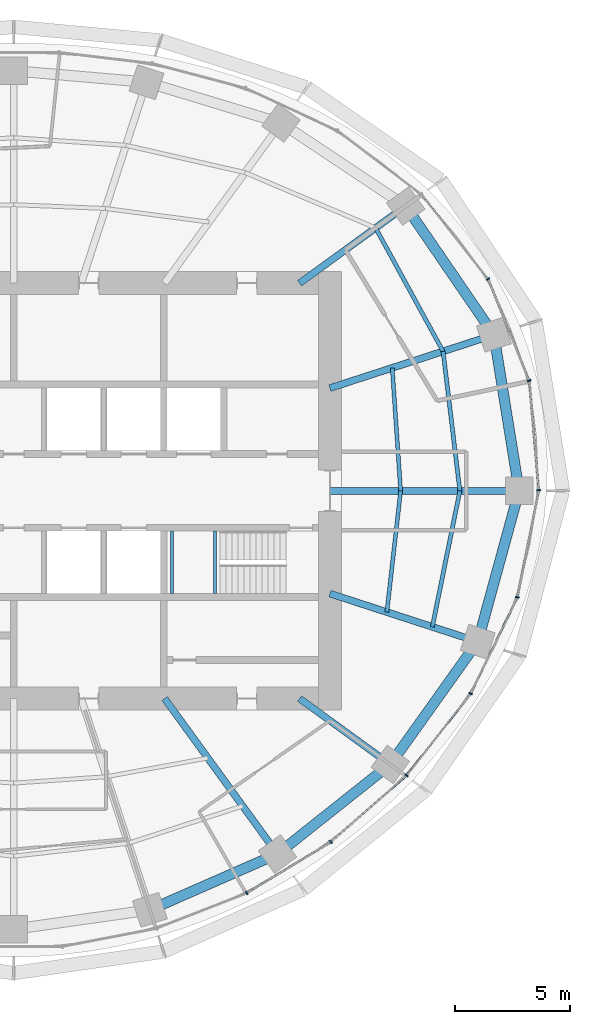
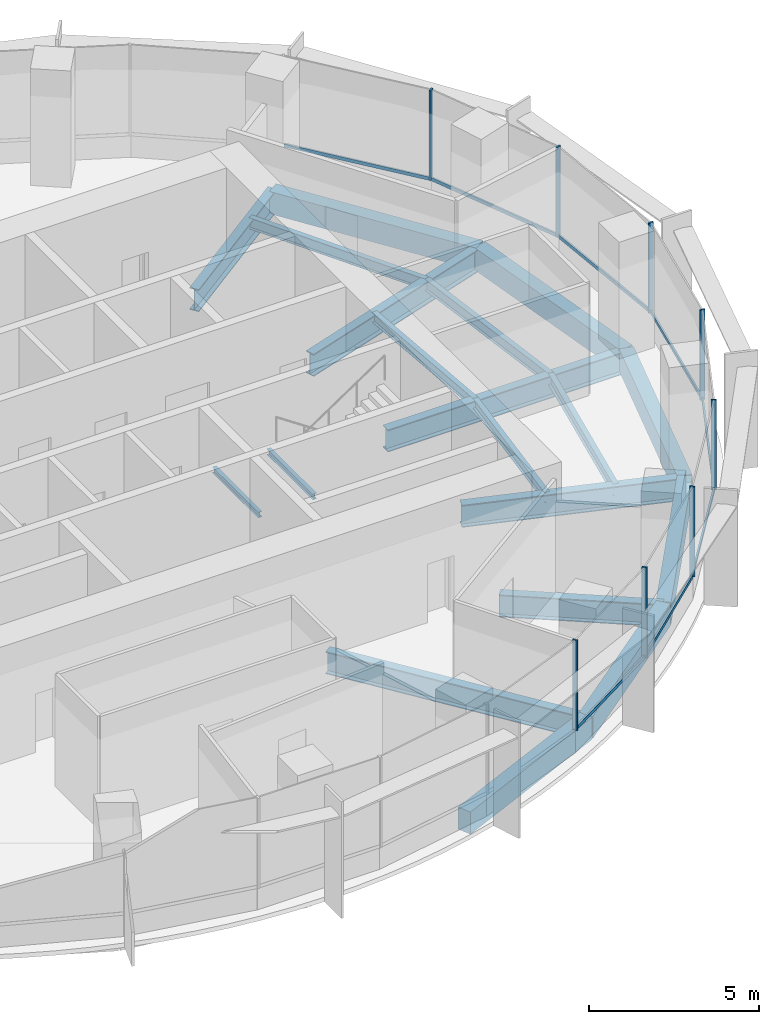
# One storey, part 5 of 13: 19 beams, 16 members, 2 elements without a shape of their own.
"""IFC4 building model written with IfcOpenShell, lengths in metres."""

from ifc_helpers import new_model, si_unit, direction, frame, origin, origin_2d, place, context, subcontext, project, spatial, rectangle, i_section, extrude, material, material_profile, profile_set, type_object, element, aggregate, save


model = new_model("IFC4")

# Units and contexts
model_context = context("Model", 3, precision=1e-05, world=origin(), true_north=direction((0.0, 1.0)))
body_context = subcontext(model_context, "Body", "Model", "MODEL_VIEW")
ifc_project = project(units=[si_unit("LENGTHUNIT", "METRE"), si_unit("AREAUNIT", "SQUARE_METRE"), si_unit("VOLUMEUNIT", "CUBIC_METRE"), si_unit("PLANEANGLEUNIT", "RADIAN"), si_unit("MASSUNIT", "GRAM", prefix="KILO")], contexts=[model_context])

# Site, building, storey
site_placement = place(None, origin())
site = spatial("IfcSite", under=ifc_project, at=site_placement, CompositionType="ELEMENT")
building_placement = place(site_placement, origin())
building = spatial("IfcBuilding", under=site, at=building_placement, Name="Marramba Exchange Tower", CompositionType="ELEMENT")
storey_placement = place(building_placement, frame((0.0, 0.0, 256.0)))
storey = spatial("IfcBuildingStorey", under=building, at=storey_placement, Name="L62", CompositionType="ELEMENT", Elevation=256.0)

# Curtain wall, members
ifc_material_1 = material(Name="Aluminium framing, bronze anodised", Category="aluminium")
curtain_wall_type = type_object("IfcCurtainWallType", Name="Executive floor ribbon curtain wall", PredefinedType="USERDEFINED", material=ifc_material_1)
curtain_wall_1_placement = place(storey_placement, origin())
curtain_wall_1 = element("IfcCurtainWall", 1, at=curtain_wall_1_placement, inside=storey, type_object=curtain_wall_type, Name="Curtain wall CW5 L62 F01-F05", ObjectType="RIBBON CURTAIN WALL", PredefinedType="USERDEFINED")
ifc_material_2 = material(Name="Aluminium mullion, bronze anodised", Category="aluminium")
ifc_material_profile_1 = material_profile(ifc_material_2, rectangle(XDim=0.159912109375, YDim=0.06005859375, at=origin_2d()), Name="CW5 mullion 60x160")
ifc_profile_set_1 = profile_set([ifc_material_profile_1], Name="Aluminium mullion, bronze anodised")
member_type_1 = type_object("IfcMemberType", Name="Executive floor ribbon curtain wall mullion", PredefinedType="MULLION", material=ifc_profile_set_1)
member_1_placement = place(storey_placement, frame((22.747314453125, 0.02978515625, 0.800048828125), z_axis=(0.0, 0.0, 1.0), x_axis=(-0.996331816632, -0.085574009881, 0.0)))
member_1 = element("IfcMember", 2, at=member_1_placement, type_object=member_type_1, Name="CW5 mullion 1", PredefinedType="MULLION", context=body_context, shape_type="SweptSolid", body=[
    extrude(rectangle(XDim=0.159912109375, YDim=0.06005859375, at=origin_2d()), origin(), (0.0, 0.0, 1.0), 3.239990234375),
])
member_2_placement = place(storey_placement, frame((22.330810546875, 4.77685546875, 0.800048828125), z_axis=(0.0, 0.0, 1.0), x_axis=(-0.927838139977, -0.372983090774, 0.0)))
member_2 = element("IfcMember", 3, at=member_2_placement, type_object=member_type_1, Name="CW5 mullion 1", PredefinedType="MULLION", context=body_context, shape_type="SweptSolid", body=[
    extrude(rectangle(XDim=0.159912109375, YDim=0.06005859375, at=origin_2d()), origin(), (0.0, 0.0, 1.0), 3.239990234375),
])
member_3_placement = place(storey_placement, frame((20.551025390625, 9.181884765625, 0.800048828125), z_axis=(0.0, 0.0, 1.0), x_axis=(-0.786002861604, -0.618222857512, 0.0)))
member_3 = element("IfcMember", 4, at=member_3_placement, type_object=member_type_1, Name="CW5 mullion 1", PredefinedType="MULLION", context=body_context, shape_type="SweptSolid", body=[
    extrude(rectangle(XDim=0.159912109375, YDim=0.06005859375, at=origin_2d()), origin(), (0.0, 0.0, 1.0), 3.239990234375),
])

curtain_wall_2_placement = place(storey_placement, origin())
curtain_wall_2 = element("IfcCurtainWall", 5, at=curtain_wall_2_placement, inside=storey, type_object=curtain_wall_type, Name="Curtain wall CW5 L62 F26-F30", ObjectType="RIBBON CURTAIN WALL", PredefinedType="USERDEFINED")
member_4_placement = place(storey_placement, frame((10.09619140625, -17.42724609375, 0.800048828125), z_axis=(0.0, 0.0, 1.0), x_axis=(-0.519115121209, 0.854704329539, 0.0)))
member_4 = element("IfcMember", 6, at=member_4_placement, type_object=member_type_1, Name="CW5 mullion 1", PredefinedType="MULLION", context=body_context, shape_type="SweptSolid", body=[
    extrude(rectangle(XDim=0.159912109375, YDim=0.06005859375, at=origin_2d()), origin(), (0.0, 0.0, 1.0), 3.239990234375),
])
member_5_placement = place(storey_placement, frame((13.736083984375, -15.21044921875, 0.800048828125), z_axis=(0.0, 0.0, 1.0), x_axis=(-0.658305290779, 0.752751050569, 0.0)))
member_5 = element("IfcMember", 7, at=member_5_placement, type_object=member_type_1, Name="CW5 mullion 1", PredefinedType="MULLION", context=body_context, shape_type="SweptSolid", body=[
    extrude(rectangle(XDim=0.159912109375, YDim=0.06005859375, at=origin_2d()), origin(), (0.0, 0.0, 1.0), 3.239990234375),
])
member_6_placement = place(storey_placement, frame((17.021484375, -12.329833984375, 0.800048828125), z_axis=(0.0, 0.0, 1.0), x_axis=(-0.78594954734, 0.618290634763, 0.0)))
member_6 = element("IfcMember", 8, at=member_6_placement, type_object=member_type_1, Name="CW5 mullion 1", PredefinedType="MULLION", context=body_context, shape_type="SweptSolid", body=[
    extrude(rectangle(XDim=0.159912109375, YDim=0.06005859375, at=origin_2d()), origin(), (0.0, 0.0, 1.0), 3.239990234375),
])
member_7_placement = place(storey_placement, frame((19.802978515625, -8.783935546875, 0.800048828125), z_axis=(0.0, 0.0, 1.0), x_axis=(-0.89969718031, 0.436514585945, 0.0)))
member_7 = element("IfcMember", 9, at=member_7_placement, type_object=member_type_1, Name="CW5 mullion 1", PredefinedType="MULLION", context=body_context, shape_type="SweptSolid", body=[
    extrude(rectangle(XDim=0.159912109375, YDim=0.06005859375, at=origin_2d()), origin(), (0.0, 0.0, 1.0), 3.239990234375),
])
member_8_placement = place(storey_placement, frame((21.82080078125, -4.607421875, 0.800048828125), z_axis=(0.0, 0.0, 1.0), x_axis=(-0.980268514856, 0.19767053089, 0.0)))
member_8 = element("IfcMember", 10, at=member_8_placement, type_object=member_type_1, Name="CW5 mullion 1", PredefinedType="MULLION", context=body_context, shape_type="SweptSolid", body=[
    extrude(rectangle(XDim=0.159912109375, YDim=0.06005859375, at=origin_2d()), origin(), (0.0, 0.0, 1.0), 3.239990234375),
])

# Member
ifc_material_3 = material(Name="Aluminium transom, bronze anodised", Category="aluminium")
ifc_material_profile_2 = material_profile(ifc_material_3, rectangle(XDim=0.06005859375, YDim=0.1201171875, at=origin_2d()), Name="CW5 transom 60x120")
ifc_profile_set_2 = profile_set([ifc_material_profile_2], Name="Aluminium transom, bronze anodised")
member_type_2 = type_object("IfcMemberType", Name="Executive floor ribbon curtain wall transom", PredefinedType="USERDEFINED", material=ifc_profile_set_2)
member_9_placement = place(storey_placement, frame((22.744873046875, 0.059814453125, 0.830078125), z_axis=(-0.085590935521, 0.99633036276, 0.0), x_axis=(-0.99633036276, -0.085590935521, 0.0)))
member_9 = element("IfcMember", 11, at=member_9_placement, type_object=member_type_2, Name="CW5 sill transom", ObjectType="TRANSOM", PredefinedType="USERDEFINED", context=body_context, shape_type="SweptSolid", body=[
    extrude(rectangle(XDim=0.06005859375, YDim=0.1201171875, at=origin_2d()), origin(), (0.0, 0.0, 1.0), 4.70654296875),
])

member_10_placement = place(storey_placement, frame((22.31982421875, 4.8046875, 0.830078125), z_axis=(-0.37301385018, 0.927825774364, 0.0), x_axis=(-0.927825774364, -0.37301385018, 0.0)))
member_10 = element("IfcMember", 12, at=member_10_placement, type_object=member_type_2, Name="CW5 sill transom", ObjectType="TRANSOM", PredefinedType="USERDEFINED", context=body_context, shape_type="SweptSolid", body=[
    extrude(rectangle(XDim=0.06005859375, YDim=0.1201171875, at=origin_2d()), origin(), (0.0, 0.0, 1.0), 4.692138671875),
])

member_11_placement = place(storey_placement, frame((20.532470703125, 9.205322265625, 0.830078125), z_axis=(-0.618203819414, 0.78601783546, 0.0), x_axis=(-0.78601783546, -0.618203819414, 0.0)))
member_11 = element("IfcMember", 13, at=member_11_placement, type_object=member_type_2, Name="CW5 sill transom", ObjectType="TRANSOM", PredefinedType="USERDEFINED", context=body_context, shape_type="SweptSolid", body=[
    extrude(rectangle(XDim=0.06005859375, YDim=0.1201171875, at=origin_2d()), origin(), (0.0, 0.0, 1.0), 4.625),
])

aggregate(curtain_wall_1, [member_1, member_9, member_2, member_10, member_3, member_11])

member_12_placement = place(storey_placement, frame((10.121826171875, -17.41162109375, 0.830078125), z_axis=(0.854701897511, 0.519119125434, 0.0), x_axis=(-0.519119125434, 0.854701897511, 0.0)))
member_12 = element("IfcMember", 14, at=member_12_placement, type_object=member_type_2, Name="CW5 sill transom", ObjectType="TRANSOM", PredefinedType="USERDEFINED", context=body_context, shape_type="SweptSolid", body=[
    extrude(rectangle(XDim=0.06005859375, YDim=0.1201171875, at=origin_2d()), origin(), (0.0, 0.0, 1.0), 4.2021484375),
])

member_13_placement = place(storey_placement, frame((13.758544921875, -15.19091796875, 0.830078125), z_axis=(0.752741590247, 0.658316108198, 0.0), x_axis=(-0.658316108198, 0.752741590247, 0.0)))
member_13 = element("IfcMember", 15, at=member_13_placement, type_object=member_type_2, Name="CW5 sill transom", ObjectType="TRANSOM", PredefinedType="USERDEFINED", context=body_context, shape_type="SweptSolid", body=[
    extrude(rectangle(XDim=0.06005859375, YDim=0.1201171875, at=origin_2d()), origin(), (0.0, 0.0, 1.0), 4.31005859375),
])

member_14_placement = place(storey_placement, frame((17.0400390625, -12.30615234375, 0.830078125), z_axis=(0.618320881677, 0.785925751762, 0.0), x_axis=(-0.785925751762, 0.618320881677, 0.0)))
member_14 = element("IfcMember", 16, at=member_14_placement, type_object=member_type_2, Name="CW5 sill transom", ObjectType="TRANSOM", PredefinedType="USERDEFINED", context=body_context, shape_type="SweptSolid", body=[
    extrude(rectangle(XDim=0.06005859375, YDim=0.1201171875, at=origin_2d()), origin(), (0.0, 0.0, 1.0), 4.447021484375),
])

member_15_placement = place(storey_placement, frame((19.81591796875, -8.757080078125, 0.830078125), z_axis=(0.436519399678, 0.899694844769, 0.0), x_axis=(-0.899694844769, 0.436519399678, 0.0)))
member_15 = element("IfcMember", 17, at=member_15_placement, type_object=member_type_2, Name="CW5 sill transom", ObjectType="TRANSOM", PredefinedType="USERDEFINED", context=body_context, shape_type="SweptSolid", body=[
    extrude(rectangle(XDim=0.06005859375, YDim=0.1201171875, at=origin_2d()), origin(), (0.0, 0.0, 1.0), 4.579345703125),
])

member_16_placement = place(storey_placement, frame((21.826904296875, -4.578125, 0.830078125), z_axis=(0.197654002556, 0.980271847639, 0.0), x_axis=(-0.980271847639, 0.197654002556, 0.0)))
member_16 = element("IfcMember", 18, at=member_16_placement, type_object=member_type_2, Name="CW5 sill transom", ObjectType="TRANSOM", PredefinedType="USERDEFINED", context=body_context, shape_type="SweptSolid", body=[
    extrude(rectangle(XDim=0.06005859375, YDim=0.1201171875, at=origin_2d()), origin(), (0.0, 0.0, 1.0), 4.670166015625),
])

aggregate(curtain_wall_2, [member_4, member_12, member_5, member_13, member_6, member_14, member_7, member_15, member_8, member_16])

# Beams
ifc_material_4 = material(Name="Steel AS/NZS 3679.1 grade 300", Category="steel")
ifc_material_profile_3 = material_profile(ifc_material_4, i_section(OverallWidth=0.1708984375, OverallDepth=0.35595703125, WebThickness=0.00732421875, FlangeThickness=0.011474609375, FilletRadius=0.011474609375, at=origin_2d()), Name="360UB50.7")
ifc_profile_set_3 = profile_set([ifc_material_profile_3], Name="Steel AS/NZS 3679.1 grade 300")
beam_type_1 = type_object("IfcBeamType", Name="Floor joist 360UB50.7", PredefinedType="JOIST", material=ifc_profile_set_3)
beam_1_placement = place(storey_placement, frame((16.7666015625, 0.0, -0.337890625), z_axis=(-0.068096259546, 0.99767875563, 0.0), x_axis=(-0.99767875563, -0.068096259546, 0.0)))
element("IfcBeam", 19, at=beam_1_placement, inside=storey, type_object=beam_type_1, Name="Joist L62 bay 01 row 1", PredefinedType="JOIST", context=body_context, shape_type="SweptSolid", body=[
    extrude(i_section(OverallWidth=0.1708984375, OverallDepth=0.35595703125, WebThickness=0.00732421875, FlangeThickness=0.011474609375, FilletRadius=0.011474609375, at=origin_2d()), origin(), (0.0, 0.0, 1.0), 5.342041015625),
])
beam_2_placement = place(storey_placement, frame((16.169677734375, -5.25390625, -0.337890625), z_axis=(0.112888968594, 0.993607609054, 0.0), x_axis=(-0.993607609054, 0.112888968594, 0.0)))
element("IfcBeam", 20, at=beam_2_placement, inside=storey, type_object=beam_type_1, Name="Joist L62 bay 20 row 1", PredefinedType="JOIST", context=body_context, shape_type="SweptSolid", body=[
    extrude(i_section(OverallWidth=0.1708984375, OverallDepth=0.35595703125, WebThickness=0.00732421875, FlangeThickness=0.011474609375, FilletRadius=0.011474609375, at=origin_2d()), origin(), (0.0, 0.0, 1.0), 5.28759765625),
])
ifc_material_profile_4 = material_profile(ifc_material_4, i_section(OverallWidth=0.177978515625, OverallDepth=0.403076171875, WebThickness=0.007568359375, FlangeThickness=0.010986328125, FilletRadius=0.011474609375, at=origin_2d()), Name="410UB53.7")
ifc_profile_set_4 = profile_set([ifc_material_profile_4], Name="Steel AS/NZS 3679.1 grade 300")
beam_type_2 = type_object("IfcBeamType", Name="Floor joist 410UB53.7", PredefinedType="JOIST", material=ifc_profile_set_4)
beam_3_placement = place(storey_placement, frame((19.333251953125, 0.0, -0.361572265625), z_axis=(-0.119523078538, 0.992831422597, 0.0), x_axis=(-0.992831422597, -0.119523078538, 0.0)))
element("IfcBeam", 21, at=beam_3_placement, inside=storey, type_object=beam_type_2, Name="Joist L62 bay 01 row 2", PredefinedType="JOIST", context=body_context, shape_type="SweptSolid", body=[
    extrude(i_section(OverallWidth=0.177978515625, OverallDepth=0.403076171875, WebThickness=0.007568359375, FlangeThickness=0.010986328125, FilletRadius=0.011474609375, at=origin_2d()), origin(), (0.0, 0.0, 1.0), 6.089111328125),
])
beam_4_placement = place(storey_placement, frame((18.60546875, 6.04541015625, -0.361572265625), z_axis=(-0.479584443791, 0.877495732909, 0.0), x_axis=(-0.877495732909, -0.479584443791, 0.0)))
element("IfcBeam", 22, at=beam_4_placement, inside=storey, type_object=beam_type_2, Name="Joist L62 bay 02 row 2", PredefinedType="JOIST", context=body_context, shape_type="SweptSolid", body=[
    extrude(i_section(OverallWidth=0.177978515625, OverallDepth=0.403076171875, WebThickness=0.007568359375, FlangeThickness=0.010986328125, FilletRadius=0.011474609375, at=origin_2d()), origin(), (0.0, 0.0, 1.0), 6.094970703125),
])
beam_5_placement = place(storey_placement, frame((18.1396484375, -5.893798828125, -0.361572265625), z_axis=(0.198489047047, 0.980103105904, 0.0), x_axis=(-0.980103105904, 0.198489047047, 0.0)))
element("IfcBeam", 23, at=beam_5_placement, inside=storey, type_object=beam_type_2, Name="Joist L62 bay 20 row 2", PredefinedType="JOIST", context=body_context, shape_type="SweptSolid", body=[
    extrude(i_section(OverallWidth=0.177978515625, OverallDepth=0.403076171875, WebThickness=0.007568359375, FlangeThickness=0.010986328125, FilletRadius=0.011474609375, at=origin_2d()), origin(), (0.0, 0.0, 1.0), 6.013427734375),
])
ifc_material_5 = material(Name="Steel AS/NZS 3679.2 grade 300", Category="steel")
ifc_material_profile_5 = material_profile(ifc_material_5, i_section(OverallWidth=0.300048828125, OverallDepth=0.800048828125, WebThickness=0.013916015625, FlangeThickness=0.031982421875, at=origin_2d()), Name="800WB192")
ifc_profile_set_5 = profile_set([ifc_material_profile_5], Name="Steel AS/NZS 3679.2 grade 300")
beam_type_3 = type_object("IfcBeamType", Name="Radial girder 800WB192", PredefinedType="BEAM", material=ifc_profile_set_5)
beam_6_placement = place(storey_placement, frame((13.699951171875, 0.0, -0.56005859375), z_axis=(1.0, 0.0, 0.0), x_axis=(0.0, 1.0, 0.0)))
element("IfcBeam", 24, at=beam_6_placement, inside=storey, type_object=beam_type_3, Name="Radial girder L62 TC01", PredefinedType="BEAM", context=body_context, shape_type="SweptSolid", body=[
    extrude(i_section(OverallWidth=0.300048828125, OverallDepth=0.800048828125, WebThickness=0.013916015625, FlangeThickness=0.031982421875, at=origin_2d()), origin(), (0.0, 0.0, 1.0), 8.199951171875),
])
beam_7_placement = place(storey_placement, frame((13.699951171875, 4.451416015625, -0.56005859375), z_axis=(0.951059990189, 0.309006302624, 0.0), x_axis=(-0.309006302624, 0.951059990189, 0.0)))
element("IfcBeam", 25, at=beam_7_placement, inside=storey, type_object=beam_type_3, Name="Radial girder L62 TC02", PredefinedType="BEAM", context=body_context, shape_type="SweptSolid", body=[
    extrude(i_section(OverallWidth=0.300048828125, OverallDepth=0.800048828125, WebThickness=0.013916015625, FlangeThickness=0.031982421875, at=origin_2d()), origin(), (0.0, 0.0, 1.0), 7.47412109375),
])
beam_8_placement = place(storey_placement, frame((12.387451171875, 9.0, -0.56005859375), z_axis=(0.809025746925, 0.587773205252, 0.0), x_axis=(-0.587773205252, 0.809025746925, 0.0)))
element("IfcBeam", 26, at=beam_8_placement, inside=storey, type_object=beam_type_3, Name="Radial girder L62 TC03", PredefinedType="BEAM", context=body_context, shape_type="SweptSolid", body=[
    extrude(i_section(OverallWidth=0.300048828125, OverallDepth=0.800048828125, WebThickness=0.013916015625, FlangeThickness=0.031982421875, at=origin_2d()), origin(), (0.0, 0.0, 1.0), 5.683837890625),
])
beam_9_placement = place(storey_placement, frame((6.538818359375, -9.0, -0.56005859375), z_axis=(0.587787877172, -0.809015087282, 0.0), x_axis=(0.809015087282, 0.587787877172, 0.0)))
element("IfcBeam", 27, at=beam_9_placement, inside=storey, type_object=beam_type_3, Name="Radial girder L62 TC18", PredefinedType="BEAM", context=body_context, shape_type="SweptSolid", body=[
    extrude(i_section(OverallWidth=0.300048828125, OverallDepth=0.800048828125, WebThickness=0.013916015625, FlangeThickness=0.031982421875, at=origin_2d()), origin(), (0.0, 0.0, 1.0), 8.322021484375),
])
beam_10_placement = place(storey_placement, frame((12.387451171875, -9.0, -0.56005859375), z_axis=(0.809025189606, -0.58777397236, 0.0), x_axis=(0.58777397236, 0.809025189606, 0.0)))
element("IfcBeam", 28, at=beam_10_placement, inside=storey, type_object=beam_type_3, Name="Radial girder L62 TC19", PredefinedType="BEAM", context=body_context, shape_type="SweptSolid", body=[
    extrude(i_section(OverallWidth=0.300048828125, OverallDepth=0.800048828125, WebThickness=0.013916015625, FlangeThickness=0.031982421875, at=origin_2d()), origin(), (0.0, 0.0, 1.0), 4.855224609375),
])
beam_11_placement = place(storey_placement, frame((13.699951171875, -4.451416015625, -0.56005859375), z_axis=(0.951057759669, -0.309013167637, 0.0), x_axis=(0.309013167637, 0.951057759669, 0.0)))
element("IfcBeam", 29, at=beam_11_placement, inside=storey, type_object=beam_type_3, Name="Radial girder L62 TC20", PredefinedType="BEAM", context=body_context, shape_type="SweptSolid", body=[
    extrude(i_section(OverallWidth=0.300048828125, OverallDepth=0.800048828125, WebThickness=0.013916015625, FlangeThickness=0.031982421875, at=origin_2d()), origin(), (0.0, 0.0, 1.0), 6.7392578125),
])
ifc_material_6 = material(Name="Concrete N50", Category="concrete")
ifc_material_profile_6 = material_profile(ifc_material_6, rectangle(XDim=0.449951171875, YDim=0.800048828125, at=origin_2d()), Name="RC 450x800")
ifc_profile_set_6 = profile_set([ifc_material_profile_6], Name="Concrete N50")
beam_type_4 = type_object("IfcBeamType", Name="Ring beam RC 450x800 N50", PredefinedType="SPANDREL", material=ifc_profile_set_6)
beam_12_placement = place(storey_placement, frame((21.89990234375, 0.0, -0.56005859375), z_axis=(-0.159384865399, 0.987216523708, 0.0), x_axis=(-0.987216523708, -0.159384865399, 0.0)))
element("IfcBeam", 30, at=beam_12_placement, inside=storey, type_object=beam_type_4, Name="Ring beam L62 TC01-TC02", PredefinedType="SPANDREL", context=body_context, shape_type="SweptSolid", body=[
    extrude(rectangle(XDim=0.449951171875, YDim=0.800048828125, at=origin_2d()), origin(), (0.0, 0.0, 1.0), 6.8486328125),
])
beam_13_placement = place(storey_placement, frame((20.808349609375, 6.760986328125, -0.56005859375), z_axis=(-0.56516002054, 0.824981303535, 0.0), x_axis=(-0.824981303535, -0.56516002054, 0.0)))
element("IfcBeam", 31, at=beam_13_placement, inside=storey, type_object=beam_type_4, Name="Ring beam L62 TC02-TC03", PredefinedType="SPANDREL", context=body_context, shape_type="SweptSolid", body=[
    extrude(rectangle(XDim=0.449951171875, YDim=0.800048828125, at=origin_2d()), origin(), (0.0, 0.0, 1.0), 6.763671875),
])
beam_14_placement = place(storey_placement, frame((5.899658203125, -18.156982421875, -0.56005859375), z_axis=(0.915876892158, 0.4014592363, 0.0), x_axis=(-0.4014592363, 0.915876892158, 0.0)))
element("IfcBeam", 32, at=beam_14_placement, inside=storey, type_object=beam_type_4, Name="Ring beam L62 TC17-TC18", PredefinedType="SPANDREL", context=body_context, shape_type="SweptSolid", body=[
    extrude(rectangle(XDim=0.449951171875, YDim=0.800048828125, at=origin_2d()), origin(), (0.0, 0.0, 1.0), 6.038818359375),
])
beam_15_placement = place(storey_placement, frame((11.430419921875, -15.732666015625, -0.56005859375), z_axis=(0.783139438128, 0.621846138887, 0.0), x_axis=(-0.621846138887, 0.783139438128, 0.0)))
element("IfcBeam", 33, at=beam_15_placement, inside=storey, type_object=beam_type_4, Name="Ring beam L62 TC18-TC19", PredefinedType="SPANDREL", context=body_context, shape_type="SweptSolid", body=[
    extrude(rectangle(XDim=0.449951171875, YDim=0.800048828125, at=origin_2d()), origin(), (0.0, 0.0, 1.0), 6.23779296875),
])
beam_16_placement = place(storey_placement, frame((16.3154296875, -11.853759765625, -0.56005859375), z_axis=(0.580637181111, 0.814162430914, 0.0), x_axis=(-0.814162430914, 0.580637181111, 0.0)))
element("IfcBeam", 34, at=beam_16_placement, inside=storey, type_object=beam_type_4, Name="Ring beam L62 TC19-TC20", PredefinedType="SPANDREL", context=body_context, shape_type="SweptSolid", body=[
    extrude(rectangle(XDim=0.449951171875, YDim=0.800048828125, at=origin_2d()), origin(), (0.0, 0.0, 1.0), 6.5341796875),
])
beam_17_placement = place(storey_placement, frame((20.109375, -6.533935546875, -0.56005859375), z_axis=(0.264291166956, 0.964442937176, 0.0), x_axis=(-0.964442937176, 0.264291166956, 0.0)))
element("IfcBeam", 35, at=beam_17_placement, inside=storey, type_object=beam_type_4, Name="Ring beam L62 TC20-TC01", PredefinedType="SPANDREL", context=body_context, shape_type="SweptSolid", body=[
    extrude(rectangle(XDim=0.449951171875, YDim=0.800048828125, at=origin_2d()), origin(), (0.0, 0.0, 1.0), 6.77490234375),
])
ifc_material_profile_7 = material_profile(ifc_material_4, i_section(OverallWidth=0.133056640625, OverallDepth=0.202880859375, WebThickness=0.005859375, FlangeThickness=0.0078125, FilletRadius=0.0087890625, at=origin_2d()), Name="200UB25.4")
ifc_profile_set_7 = profile_set([ifc_material_profile_7], Name="Steel AS/NZS 3679.1 grade 300")
beam_type_5 = type_object("IfcBeamType", Name="Stair landing beam 200UB25.4", PredefinedType="BEAM", material=ifc_profile_set_7)
for number, where, z_axis, x_axis, name in (
    (36, (6.866455078125, -4.449951171875, 1.798583984375), (0.0, 1.0, 0.0), (-1.0, 0.0, 0.0), "Stair landing beam SLB1 ST2 L62 1"),
    (37, (8.723388671875, -4.449951171875, 1.798583984375), (0.0, 1.0, 0.0), (-1.0, 0.0, 0.0), "Stair landing beam SLB1 ST2 L62 2"),
):
    element("IfcBeam", number, at=place(storey_placement, frame(where, z_axis=z_axis, x_axis=x_axis)), inside=storey, type_object=beam_type_5, Name=name, PredefinedType="BEAM", context=body_context, shape_type="SweptSolid", body=[
        extrude(i_section(OverallWidth=0.133056640625, OverallDepth=0.202880859375, WebThickness=0.005859375, FlangeThickness=0.0078125, FilletRadius=0.0087890625, at=origin_2d()), origin(), (0.0, 0.0, 1.0), 2.699951171875),
    ])

save(model, "model.ifc")
